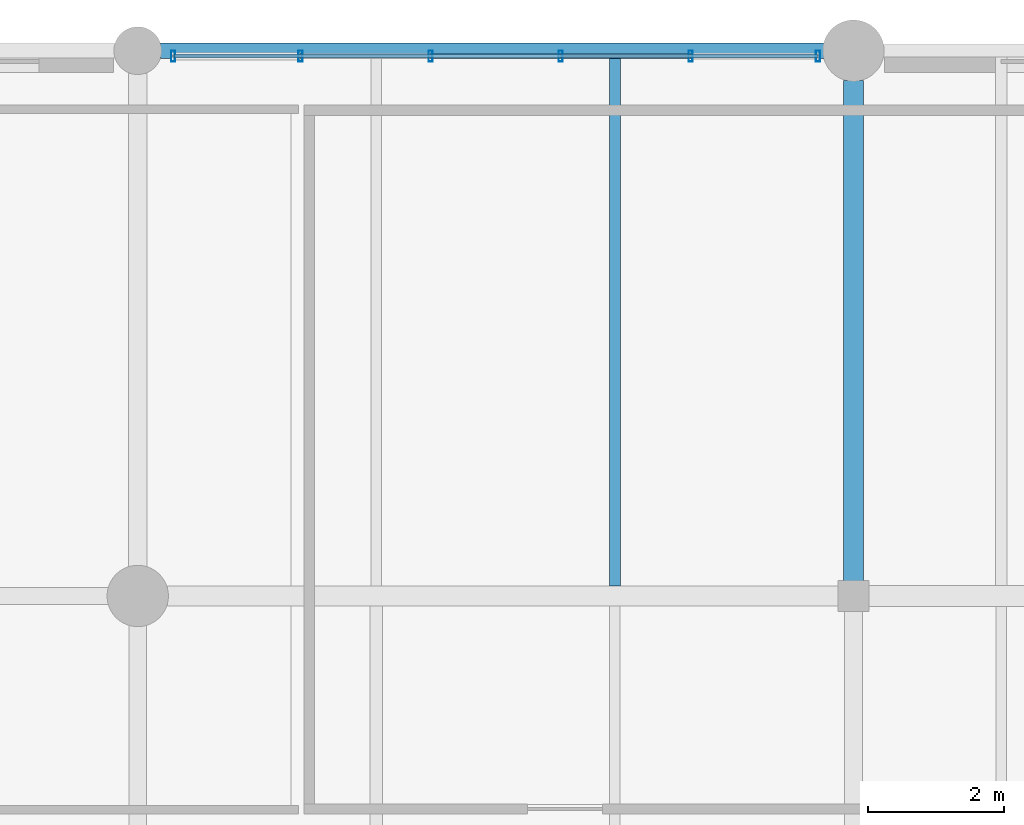
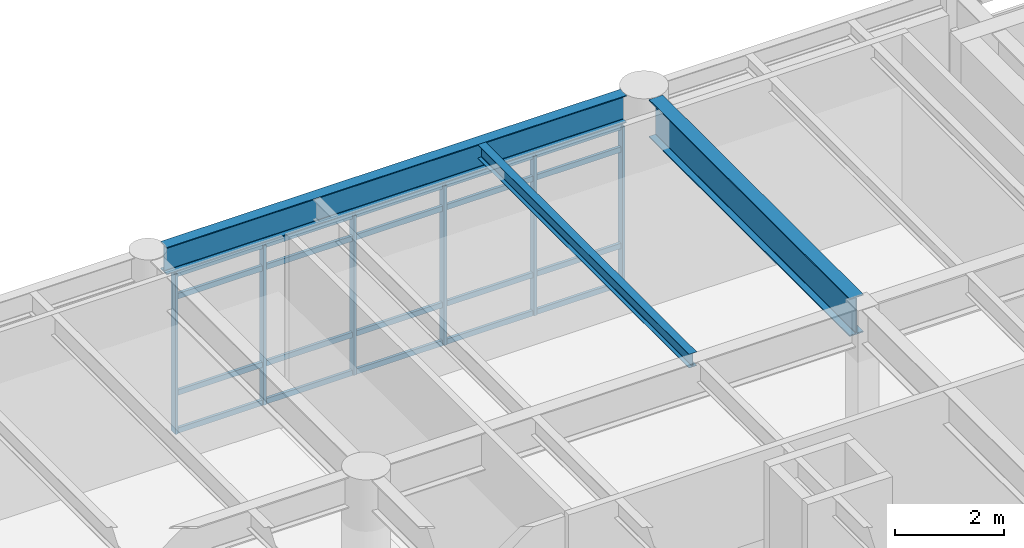
# One storey, part 81 of 168: 10 members, 3 beams, 1 element without a shape of its own.
"""IFC4 building model written with IfcOpenShell, lengths in metres."""

import ifcopenshell
import ifcopenshell.guid

model = None  # the IFC model being written
_history = None  # IfcOwnerHistory: only IFC2X3 demands one
_inside = {}  # id of a spatial element -> (the spatial element, [elements in it])
_under = {}  # id of a project, library or spatial element -> (it, [spatial elements below it])
_declared = {}  # id of a project -> (the project, [libraries it declares])
_typed = {}  # id of a type object -> (the type object, [elements of that type])
_made_of = {}  # id of a material, layer set ... -> (it, [elements and type objects made of it])


def new_model(schema):
    """Start an empty IFC model of exactly this schema.

    Asked for "IFC4X3", IfcOpenShell would pick the latest addendum, in which some entities
    have other attributes; the version numbers below select the first issue.
    IFC2X3 requires an IfcOwnerHistory on every rooted entity: one is made here for all.
    """
    global model, _history
    if schema == "IFC4X3":
        model = ifcopenshell.file(schema_version=(4, 3, 0, 0))
    else:
        model = ifcopenshell.file(schema=schema)
    _inside.clear()
    _under.clear()
    _declared.clear()
    _typed.clear()
    _made_of.clear()
    _history = None
    if model.schema == "IFC2X3":
        org = make("IfcOrganization", Name="unknown")
        user = make(
            "IfcPersonAndOrganization",
            ThePerson=make("IfcPerson", FamilyName="unknown"),
            TheOrganization=org,
        )
        app = make(
            "IfcApplication",
            ApplicationDeveloper=org,
            Version="unknown",
            ApplicationFullName="unknown",
            ApplicationIdentifier="unknown",
        )
        _history = make(
            "IfcOwnerHistory",
            OwningUser=user,
            OwningApplication=app,
            ChangeAction="ADDED",
            CreationDate=0,
        )
    return model


def make(cls, **values):
    """One entity of the class cls with the attributes given. An attribute that is None is left unset."""
    return model.create_entity(
        cls, **{name: value for name, value in values.items() if value is not None}
    )


def rooted(cls, **values):
    """An entity with a GlobalId (a new one), such as an element, a storey or a relation."""
    return make(cls, GlobalId=ifcopenshell.guid.new(), OwnerHistory=_history, **values)


def si_unit(unit_type, name, prefix=None):
    """IfcSIUnit, for example si_unit("LENGTHUNIT", "METRE", prefix="MILLI")."""
    return make("IfcSIUnit", UnitType=unit_type, Prefix=prefix, Name=name)


def assignment(units):
    """IfcUnitAssignment: the units of a project."""
    return None if units is None else make("IfcUnitAssignment", Units=units)


def point(xyz):
    """IfcCartesianPoint."""
    return None if xyz is None else make("IfcCartesianPoint", Coordinates=xyz)


def direction(xyz):
    """IfcDirection."""
    return None if xyz is None else make("IfcDirection", DirectionRatios=xyz)


def frame(location, z_axis=None, x_axis=None):
    """IfcAxis2Placement3D, a coordinate frame: its origin and axes. An axis left out is left unset."""
    return make(
        "IfcAxis2Placement3D",
        Location=point(location),
        Axis=direction(z_axis),
        RefDirection=direction(x_axis),
    )


def frame_2d(location, x_axis=None):
    """IfcAxis2Placement2D, a coordinate frame in the plane: its origin and x axis."""
    return make(
        "IfcAxis2Placement2D", Location=point(location), RefDirection=direction(x_axis)
    )


def origin():
    """The frame at (0, 0, 0) with its axes left unset."""
    return frame((0.0, 0.0, 0.0))


def origin_2d():
    """The frame at (0, 0) in the plane with its x axis left unset."""
    return frame_2d((0.0, 0.0))


def place(relative_to, where):
    """IfcLocalPlacement: puts the frame where relative to a parent placement (None: the world)."""
    return make(
        "IfcLocalPlacement", PlacementRelTo=relative_to, RelativePlacement=where
    )


def context(
    kind, dimensions, precision=None, world=None, true_north=None, identifier=None
):
    """IfcGeometricRepresentationContext, for example the 3D "Model" context."""
    return make(
        "IfcGeometricRepresentationContext",
        ContextIdentifier=identifier,
        ContextType=kind,
        CoordinateSpaceDimension=dimensions,
        Precision=precision,
        WorldCoordinateSystem=world,
        TrueNorth=true_north,
    )


def subcontext(parent, identifier, kind, view, scale=None):
    """IfcGeometricRepresentationSubContext, for example "Body" below "Model"."""
    return make(
        "IfcGeometricRepresentationSubContext",
        ContextIdentifier=identifier,
        ContextType=kind,
        ParentContext=parent,
        TargetScale=scale,
        TargetView=view,
    )


def project(units=None, contexts=None):
    """IfcProject with its units and contexts."""
    return rooted(
        "IfcProject",
        Name="project",
        RepresentationContexts=contexts,
        UnitsInContext=assignment(units),
    )


def spatial(cls, under=None, at=None, **own):
    """A site, building, storey or space (cls), placed at a placement, below another one or the project."""
    s = rooted(cls, ObjectPlacement=at, **own)
    if under is not None:
        _under.setdefault(under.id(), (under, []))[1].append(s)
    return s


def profile(cls, at=None, kind="AREA", **sizes):
    """A parametric profile (cls). Its sizes go by their IFC names, for example OverallWidth=200.0."""
    return make(cls, ProfileType=kind, Position=at, **sizes)


def hollow_rectangle(**sizes):
    """IfcRectangleHollowProfileDef."""
    return profile("IfcRectangleHollowProfileDef", **sizes)


def i_section(**sizes):
    """IfcIShapeProfileDef."""
    return profile("IfcIShapeProfileDef", **sizes)


def extrude(swept, where, along, depth):
    """IfcExtrudedAreaSolid: the profile swept, set in the frame where, extruded along a direction by depth."""
    return make(
        "IfcExtrudedAreaSolid",
        SweptArea=swept,
        Position=where,
        ExtrudedDirection=direction(along),
        Depth=depth,
    )


def shape(context_of_items, identifier, shape_type, items):
    """IfcShapeRepresentation: the items that make up one representation, for example the "Body"."""
    return make(
        "IfcShapeRepresentation",
        ContextOfItems=context_of_items,
        RepresentationIdentifier=identifier,
        RepresentationType=shape_type,
        Items=items,
    )


def material(Name=None, Category=None):
    """IfcMaterial."""
    return make("IfcMaterial", Name=Name, Category=Category)


def material_profile(
    of_material, cross_section, Name=None, Category=None, Priority=None
):
    """IfcMaterialProfile: a cross section and its material."""
    return make(
        "IfcMaterialProfile",
        Name=Name,
        Material=of_material,
        Profile=cross_section,
        Priority=Priority,
        Category=Category,
    )


def profile_set(profiles, Name=None, composite=None):
    """IfcMaterialProfileSet."""
    return make(
        "IfcMaterialProfileSet",
        Name=Name,
        MaterialProfiles=profiles,
        CompositeProfile=composite,
    )


def made_of(thing, what):
    """Note that an element or type object is made of a material, layer set ...; save() writes the relation."""
    if what is not None:
        _made_of.setdefault(what.id(), (what, []))[1].append(thing)
    return thing


def type_object(cls, material=None, **own):
    """A type object (cls), such as IfcWallType, which elements share."""
    return made_of(rooted(cls, **own), material)


def element(
    cls,
    number,
    at=None,
    inside=None,
    cuts=None,
    type_object=None,
    material=None,
    context=None,
    identifier="Body",
    shape_type=None,
    held_by="IfcProductDefinitionShape",
    body=None,
    shapes=None,
    **own,
):
    """One element of the class cls, such as IfcWall. Its Tag is "e" and its number.

    at: its placement. inside: the storey or other place that contains it. cuts: it is an
    opening in that element (IfcRelVoidsElement). A single representation is given by context,
    identifier, shape_type and body (its items); several are given by shapes. held_by: the class
    of the entity that holds the representations. save() writes the other relations.
    """
    e = rooted(cls, Tag="e%d" % number, ObjectPlacement=at, **own)
    if body is not None:
        shapes = [shape(context, identifier, shape_type, body)]
    if shapes is not None:
        e.Representation = make(held_by, Representations=shapes)
    if inside is not None:
        _inside.setdefault(inside.id(), (inside, []))[1].append(e)
    if cuts is not None:
        rooted(
            "IfcRelVoidsElement", RelatingBuildingElement=cuts, RelatedOpeningElement=e
        )
    if type_object is not None:
        _typed.setdefault(type_object.id(), (type_object, []))[1].append(e)
    return made_of(e, material)


def aggregate(whole, parts):
    """IfcRelAggregates: a whole, such as a stair, and the parts it consists of."""
    return rooted("IfcRelAggregates", RelatingObject=whole, RelatedObjects=parts)


def save(model, path):
    """Write the relations noted so far, then the file.

    IfcRelAggregates (storeys below a building ...), IfcRelContainedInSpatialStructure (elements
    in a storey), IfcRelDefinesByType, IfcRelAssociatesMaterial and IfcRelDeclares: one each for
    every whole, place, type object, material and project.
    """
    for whole, parts in _under.values():
        aggregate(whole, parts)
    for where, things in _inside.values():
        rooted(
            "IfcRelContainedInSpatialStructure",
            RelatedElements=things,
            RelatingStructure=where,
        )
    for kind, things in _typed.values():
        rooted("IfcRelDefinesByType", RelatedObjects=things, RelatingType=kind)
    for what, things in _made_of.values():
        rooted("IfcRelAssociatesMaterial", RelatedObjects=things, RelatingMaterial=what)
    for by, libraries in _declared.values():
        rooted("IfcRelDeclares", RelatingContext=by, RelatedDefinitions=libraries)
    model.write(path)


model = new_model("IFC4")

# Units and contexts
model_context = context("Model", 3, precision=1e-05, world=origin(), true_north=direction((0.0, 1.0)))
body_context = subcontext(model_context, "Body", "Model", "MODEL_VIEW")
ifc_project = project(units=[si_unit("LENGTHUNIT", "METRE"), si_unit("AREAUNIT", "SQUARE_METRE"), si_unit("VOLUMEUNIT", "CUBIC_METRE"), si_unit("PLANEANGLEUNIT", "RADIAN"), si_unit("MASSUNIT", "GRAM", prefix="KILO"), si_unit("THERMODYNAMICTEMPERATUREUNIT", "KELVIN"), si_unit("POWERUNIT", "WATT")], contexts=[model_context])

# Site, building, storey
site_placement = place(None, origin())
site = spatial("IfcSite", under=ifc_project, at=site_placement, CompositionType="ELEMENT")
building_placement = place(site_placement, origin())
building = spatial("IfcBuilding", under=site, at=building_placement, Name="Tepalcoro Natatorium and Aquatics Centre", CompositionType="ELEMENT")
storey_placement = place(building_placement, frame((0.0, 0.0, 10.199951171875)))
storey = spatial("IfcBuildingStorey", under=building, at=storey_placement, Name="L02", CompositionType="ELEMENT", Elevation=10.199951171875)

# Beam
ifc_material_1 = material(Name="Steel ASTM A992 Grade 50 (Fy 345 MPa)", Category="steel")
ifc_material_profile_1 = material_profile(ifc_material_1, i_section(OverallWidth=0.2919921875, OverallDepth=0.845947265625, WebThickness=0.014892578125, FlangeThickness=0.02392578125, FilletRadius=0.013916015625, at=origin_2d()), Name="W33X141")
ifc_profile_set_1 = profile_set([ifc_material_profile_1], Name="Steel ASTM A992 Grade 50 (Fy 345 MPa)")
beam_type_1 = type_object("IfcBeamType", Name="BM_W33x141", PredefinedType="BEAM", material=ifc_profile_set_1)
beam_1_placement = place(storey_placement, frame((46.5, 110.2099609375, 3.81201171875), z_axis=(0.0, 1.0, 0.0), x_axis=(-1.0, 0.0, 0.0)))
element("IfcBeam", 1, at=beam_1_placement, inside=storey, type_object=beam_type_1, Name="V4 L02 Grid Girder Y", PredefinedType="BEAM", context=body_context, shape_type="SweptSolid", body=[
    extrude(i_section(OverallWidth=0.2919921875, OverallDepth=0.845947265625, WebThickness=0.014892578125, FlangeThickness=0.02392578125, FilletRadius=0.013916015625, at=origin_2d()), origin(), (0.0, 0.0, 1.0), 7.35498046875),
])

# Curtain wall, members
ifc_material_2 = material(Name="Bronze-Anodised Extruded Aluminium Alloy EN AW-6063 T6", Category="aluminium")
curtain_wall_type = type_object("IfcCurtainWallType", Name="CW_LEAN_T2_EW", PredefinedType="USERDEFINED", material=ifc_material_2)
curtain_wall_placement = place(storey_placement, origin())
curtain_wall = element("IfcCurtainWall", 2, at=curtain_wall_placement, inside=storey, type_object=curtain_wall_type, Name="V4 L02 N Unitised Curtain Wall Bay 4", ObjectType="FACETED SOLAR GLAZING", PredefinedType="USERDEFINED")
ifc_material_profile_2 = material_profile(ifc_material_2, hollow_rectangle(XDim=0.06005859375, YDim=0.159912109375, WallThickness=0.00390625, at=origin_2d()), Name="AL60X160X4")
ifc_profile_set_2 = profile_set([ifc_material_profile_2], Name="Bronze-Anodised Extruded Aluminium Alloy EN AW-6063 T6")
member_type_1 = type_object("IfcMemberType", Name="CW_MUL_60x160", PredefinedType="MULLION", material=ifc_profile_set_2)
member_1_placement = place(storey_placement, frame((36.52001953125, 117.919921875, 0.02001953125), z_axis=(0.0, 0.0, 1.0), x_axis=(1.0, 0.0, 0.0)))
member_1 = element("IfcMember", 3, at=member_1_placement, type_object=member_type_1, Name="CW_LEAN_T2_EW Curtain Wall Mullion", PredefinedType="MULLION", context=body_context, shape_type="SweptSolid", body=[
    extrude(hollow_rectangle(XDim=0.06005859375, YDim=0.159912109375, WallThickness=0.00390625, at=origin_2d()), origin(), (0.0, 0.0, 1.0), 3.568115234375),
])
member_2_placement = place(storey_placement, frame((38.387939453125, 117.919921875, 0.02001953125), z_axis=(0.0, 0.0, 1.0), x_axis=(1.0, 0.0, 0.0)))
member_2 = element("IfcMember", 4, at=member_2_placement, type_object=member_type_1, Name="CW_LEAN_T2_EW Curtain Wall Mullion", PredefinedType="MULLION", context=body_context, shape_type="SweptSolid", body=[
    extrude(hollow_rectangle(XDim=0.06005859375, YDim=0.159912109375, WallThickness=0.00390625, at=origin_2d()), origin(), (0.0, 0.0, 1.0), 3.568115234375),
])
member_3_placement = place(storey_placement, frame((40.2958984375, 117.919921875, 0.02001953125), z_axis=(0.0, 0.0, 1.0), x_axis=(1.0, 0.0, 0.0)))
member_3 = element("IfcMember", 5, at=member_3_placement, type_object=member_type_1, Name="CW_LEAN_T2_EW Curtain Wall Mullion", PredefinedType="MULLION", context=body_context, shape_type="SweptSolid", body=[
    extrude(hollow_rectangle(XDim=0.06005859375, YDim=0.159912109375, WallThickness=0.00390625, at=origin_2d()), origin(), (0.0, 0.0, 1.0), 3.568115234375),
])
member_4_placement = place(storey_placement, frame((42.2041015625, 117.919921875, 0.02001953125), z_axis=(0.0, 0.0, 1.0), x_axis=(1.0, 0.0, 0.0)))
member_4 = element("IfcMember", 6, at=member_4_placement, type_object=member_type_1, Name="CW_LEAN_T2_EW Curtain Wall Mullion", PredefinedType="MULLION", context=body_context, shape_type="SweptSolid", body=[
    extrude(hollow_rectangle(XDim=0.06005859375, YDim=0.159912109375, WallThickness=0.00390625, at=origin_2d()), origin(), (0.0, 0.0, 1.0), 3.568115234375),
])
member_5_placement = place(storey_placement, frame((44.112060546875, 117.919921875, 0.02001953125), z_axis=(0.0, 0.0, 1.0), x_axis=(1.0, 0.0, 0.0)))
member_5 = element("IfcMember", 7, at=member_5_placement, type_object=member_type_1, Name="CW_LEAN_T2_EW Curtain Wall Mullion", PredefinedType="MULLION", context=body_context, shape_type="SweptSolid", body=[
    extrude(hollow_rectangle(XDim=0.06005859375, YDim=0.159912109375, WallThickness=0.00390625, at=origin_2d()), origin(), (0.0, 0.0, 1.0), 3.568115234375),
])
member_6_placement = place(storey_placement, frame((45.97998046875, 117.919921875, 0.02001953125), z_axis=(0.0, 0.0, 1.0), x_axis=(1.0, 0.0, 0.0)))
member_6 = element("IfcMember", 8, at=member_6_placement, type_object=member_type_1, Name="CW_LEAN_T2_EW Curtain Wall Mullion", PredefinedType="MULLION", context=body_context, shape_type="SweptSolid", body=[
    extrude(hollow_rectangle(XDim=0.06005859375, YDim=0.159912109375, WallThickness=0.00390625, at=origin_2d()), origin(), (0.0, 0.0, 1.0), 3.568115234375),
])
ifc_material_profile_3 = material_profile(ifc_material_2, hollow_rectangle(XDim=0.06005859375, YDim=0.1201171875, WallThickness=0.00390625, at=origin_2d()), Name="AL60X120X4")
ifc_profile_set_3 = profile_set([ifc_material_profile_3], Name="Bronze-Anodised Extruded Aluminium Alloy EN AW-6063 T6")
member_type_2 = type_object("IfcMemberType", Name="CW_TRN_60x120", PredefinedType="USERDEFINED", material=ifc_profile_set_3)
member_7_placement = place(storey_placement, frame((36.530029296875, 117.919921875, 0.050048828125), z_axis=(1.0, 0.0, 0.0), x_axis=(0.0, 1.0, 0.0)))
member_7 = element("IfcMember", 9, at=member_7_placement, type_object=member_type_2, Name="CW_LEAN_T2_EW Curtain Wall Transom", ObjectType="TRANSOM", PredefinedType="USERDEFINED", context=body_context, shape_type="SweptSolid", body=[
    extrude(hollow_rectangle(XDim=0.06005859375, YDim=0.1201171875, WallThickness=0.00390625, at=origin_2d()), origin(), (0.0, 0.0, 1.0), 9.43994140625),
])
member_8_placement = place(storey_placement, frame((36.530029296875, 117.919921875, 0.902099609375), z_axis=(1.0, 0.0, 0.0), x_axis=(0.0, 1.0, 0.0)))
member_8 = element("IfcMember", 10, at=member_8_placement, type_object=member_type_2, Name="CW_LEAN_T2_EW Curtain Wall Transom", ObjectType="TRANSOM", PredefinedType="USERDEFINED", context=body_context, shape_type="SweptSolid", body=[
    extrude(hollow_rectangle(XDim=0.06005859375, YDim=0.1201171875, WallThickness=0.00390625, at=origin_2d()), origin(), (0.0, 0.0, 1.0), 9.43994140625),
])
member_9_placement = place(storey_placement, frame((36.530029296875, 117.919921875, 3.05810546875), z_axis=(1.0, 0.0, 0.0), x_axis=(0.0, 1.0, 0.0)))
member_9 = element("IfcMember", 11, at=member_9_placement, type_object=member_type_2, Name="CW_LEAN_T2_EW Curtain Wall Transom", ObjectType="TRANSOM", PredefinedType="USERDEFINED", context=body_context, shape_type="SweptSolid", body=[
    extrude(hollow_rectangle(XDim=0.06005859375, YDim=0.1201171875, WallThickness=0.00390625, at=origin_2d()), origin(), (0.0, 0.0, 1.0), 9.43994140625),
])
member_10_placement = place(storey_placement, frame((36.530029296875, 117.919921875, 3.55810546875), z_axis=(1.0, 0.0, 0.0), x_axis=(0.0, 1.0, 0.0)))
member_10 = element("IfcMember", 12, at=member_10_placement, type_object=member_type_2, Name="CW_LEAN_T2_EW Curtain Wall Transom", ObjectType="TRANSOM", PredefinedType="USERDEFINED", context=body_context, shape_type="SweptSolid", body=[
    extrude(hollow_rectangle(XDim=0.06005859375, YDim=0.1201171875, WallThickness=0.00390625, at=origin_2d()), origin(), (0.0, 0.0, 1.0), 9.43994140625),
])
aggregate(curtain_wall, [member_1, member_2, member_3, member_4, member_5, member_6, member_7, member_8, member_9, member_10])

# Beams
ifc_material_profile_4 = material_profile(ifc_material_1, i_section(OverallWidth=0.1650390625, OverallDepth=0.31005859375, WebThickness=0.006103515625, FlangeThickness=0.010009765625, FilletRadius=0.013916015625, at=origin_2d()), Name="W12X26")
ifc_profile_set_4 = profile_set([ifc_material_profile_4], Name="Steel ASTM A992 Grade 50 (Fy 345 MPa)")
beam_type_2 = type_object("IfcBeamType", Name="JS_W12x26", PredefinedType="JOIST", material=ifc_profile_set_4)
beam_2_placement = place(storey_placement, frame((43.0, 110.14599609375, 4.080078125), z_axis=(0.0, 1.0, 0.0), x_axis=(-1.0, 0.0, 0.0)))
element("IfcBeam", 13, at=beam_2_placement, inside=storey, type_object=beam_type_2, Name="V4 L02 Floor Joist", PredefinedType="JOIST", context=body_context, shape_type="SweptSolid", body=[
    extrude(i_section(OverallWidth=0.1650390625, OverallDepth=0.31005859375, WebThickness=0.006103515625, FlangeThickness=0.010009765625, FilletRadius=0.013916015625, at=origin_2d()), origin(), (0.0, 0.0, 1.0), 7.739501953125),
])
ifc_material_profile_5 = material_profile(ifc_material_1, i_section(OverallWidth=0.22900390625, OverallDepth=0.612060546875, WebThickness=0.011962890625, FlangeThickness=0.02001953125, FilletRadius=0.013916015625, at=origin_2d()), Name="W24X84")
ifc_profile_set_5 = profile_set([ifc_material_profile_5], Name="Steel ASTM A992 Grade 50 (Fy 345 MPa)")
beam_type_3 = type_object("IfcBeamType", Name="SP_W24x84", PredefinedType="SPANDREL", material=ifc_profile_set_5)
beam_3_placement = place(storey_placement, frame((36.3349609375, 118.0, 3.928955078125), z_axis=(1.0, 0.0, 0.0), x_axis=(0.0, 1.0, 0.0)))
element("IfcBeam", 14, at=beam_3_placement, inside=storey, type_object=beam_type_3, Name="V4 L02 Grid Girder X", PredefinedType="SPANDREL", context=body_context, shape_type="SweptSolid", body=[
    extrude(i_section(OverallWidth=0.22900390625, OverallDepth=0.612060546875, WebThickness=0.011962890625, FlangeThickness=0.02001953125, FilletRadius=0.013916015625, at=origin_2d()), origin(), (0.0, 0.0, 1.0), 9.72998046875),
])

save(model, "model.ifc")
